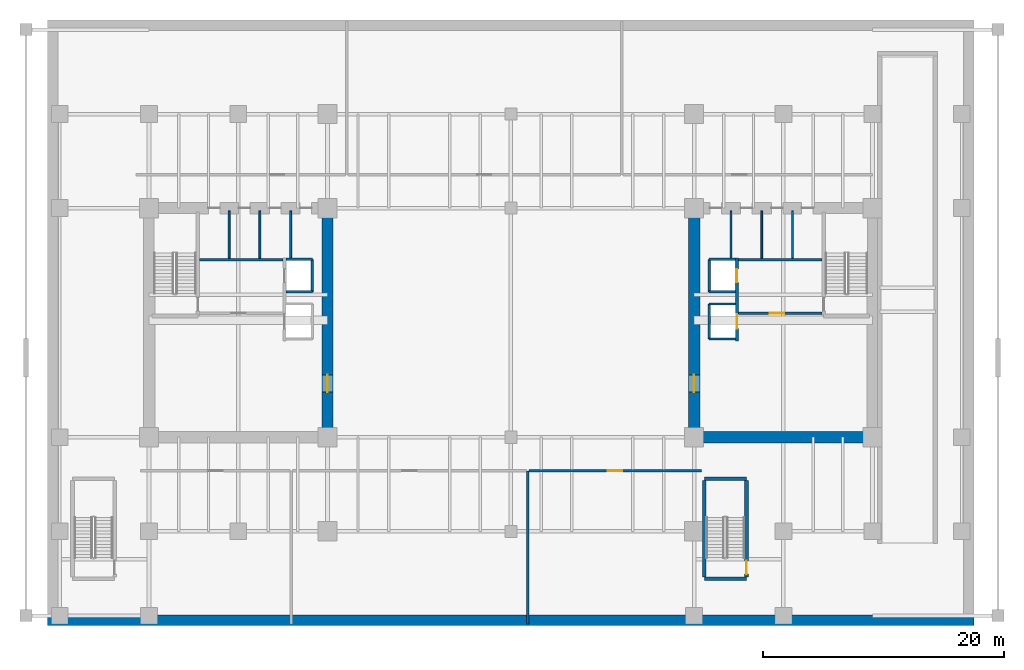
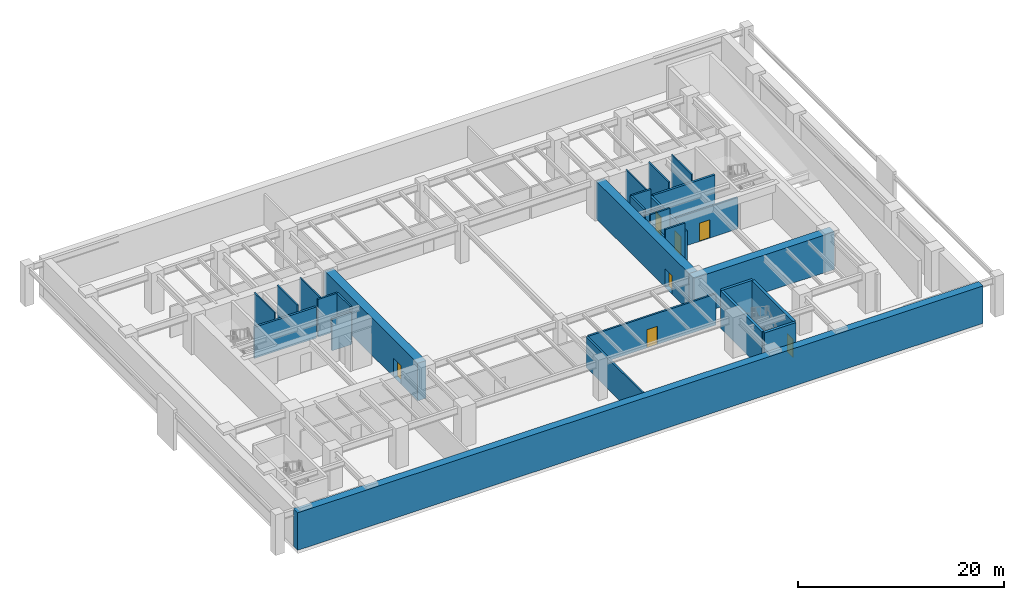
# One storey, part 3 of 7: 29 walls, 7 doors, 7 openings.
"""IFC4 building model written with IfcOpenShell, lengths in metres."""

from ifc_helpers import new_model, si_unit, direction, frame, frame_2d, origin, place, context, subcontext, project, spatial, rectangle, extrude, source, transform, mapped, material, layer, layer_set, type_object, type_shapes, element, fill, save


model = new_model("IFC4")

# Units and contexts
model_context = context("Model", 3, precision=1e-05, world=origin(), true_north=direction((0.0, 1.0)))
body_context = subcontext(model_context, "Body", "Model", "MODEL_VIEW")
ifc_project = project(units=[si_unit("LENGTHUNIT", "METRE"), si_unit("AREAUNIT", "SQUARE_METRE"), si_unit("VOLUMEUNIT", "CUBIC_METRE"), si_unit("PLANEANGLEUNIT", "RADIAN"), si_unit("MASSUNIT", "GRAM", prefix="KILO")], contexts=[model_context])

# Site, building, storey
site_placement = place(None, origin())
site = spatial("IfcSite", under=ifc_project, at=site_placement, CompositionType="ELEMENT")
building_placement = place(site_placement, origin())
building = spatial("IfcBuilding", under=site, at=building_placement, Name="Haelvirn Gate Laboratories", CompositionType="ELEMENT")
storey_placement = place(building_placement, frame((0.0, 0.0, -4.800048828125)))
storey = spatial("IfcBuildingStorey", under=building, at=storey_placement, Name="B1", CompositionType="ELEMENT", Elevation=-4.800048828125)

# Walls
ifc_material_1 = material(Name="Cement-board restroom plumbing chase wall", Category="gypsum")
ifc_layer_1 = layer(ifc_material_1, 0.155029296875, Name="IW-PLUMB-160")
ifc_layer_set_1 = layer_set([ifc_layer_1], Name="Cement-board restroom plumbing chase wall")
wall_type_1 = type_object("IfcWallType", Name="IW-PLUMB-160", PredefinedType="PLUMBINGWALL", material=ifc_layer_set_1)
for number, where, z_axis, x_axis, name in (
    (1, (14.0400390625, 29.64990234375, 0.0), (0.0, 0.0, 1.0), (0.0, 1.0, 0.0), "B1 Interior Wall IW-B1-W-CDIV-1"),
    (2, (16.590087890625, 29.64990234375, 0.0), (0.0, 0.0, 1.0), (0.0, 1.0, 0.0), "B1 Interior Wall IW-B1-W-CDIV-2"),
    (3, (19.139892578125, 29.64990234375, 0.0), (0.0, 0.0, 1.0), (0.0, 1.0, 0.0), "B1 Interior Wall IW-B1-W-CDIV-3"),
    (4, (60.760009765625, 29.64990234375, 0.0), (0.0, 0.0, 1.0), (0.0, 1.0, 0.0), "B1 Interior Wall IW-B1-E-CDIV-1"),
    (5, (58.2099609375, 29.64990234375, 0.0), (0.0, 0.0, 1.0), (0.0, 1.0, 0.0), "B1 Interior Wall IW-B1-E-CDIV-2"),
    (6, (55.659912109375, 29.64990234375, 0.0), (0.0, 0.0, 1.0), (0.0, 1.0, 0.0), "B1 Interior Wall IW-B1-E-CDIV-3"),
):
    element("IfcWall", number, at=place(storey_placement, frame(where, z_axis=z_axis, x_axis=x_axis)), inside=storey, type_object=wall_type_1, Name=name, PredefinedType="PLUMBINGWALL", context=body_context, shape_type="SweptSolid", body=[
        extrude(rectangle(XDim=3.93017578125, YDim=0.155029296875, at=frame_2d((1.965087890625, 0.0))), origin(), (0.0, 0.0, 1.0), 4.449951171875),
    ])
ifc_material_2 = material(Name="Concrete C40/50", Category="concrete")
ifc_layer_2 = layer(ifc_material_2, 0.199951171875, Name="IW-SHAFT-200")
ifc_layer_set_2 = layer_set([ifc_layer_2], Name="Concrete C40/50")
wall_type_2 = type_object("IfcWallType", Name="IW-SHAFT-200", PredefinedType="SOLIDWALL", material=ifc_layer_set_2)
wall_1_placement = place(storey_placement, frame((20.949951171875, 26.85009765625, 0.0), z_axis=(0.0, 0.0, 1.0), x_axis=(0.0, 1.0, 0.0)))
element("IfcWall", 7, at=wall_1_placement, inside=storey, type_object=wall_type_2, Name="B1 Interior Wall IW-B1-FL1-BK", PredefinedType="SOLIDWALL", context=body_context, shape_type="SweptSolid", body=[
    extrude(rectangle(XDim=2.699951171875, YDim=0.199951171875, at=frame_2d((1.35009765625, 0.0))), origin(), (0.0, 0.0, 1.0), 4.449951171875),
])
wall_2_placement = place(storey_placement, frame((18.760009765625, 29.550048828125, 0.0), z_axis=(0.0, 0.0, 1.0), x_axis=(1.0, 0.0, 0.0)))
element("IfcWall", 8, at=wall_2_placement, inside=storey, type_object=wall_type_2, Name="B1 Interior Wall IW-B1-FL1-N", PredefinedType="SOLIDWALL", context=body_context, shape_type="SweptSolid", body=[
    extrude(rectangle(XDim=2.18994140625, YDim=0.199951171875, at=frame_2d((1.094970703125, 0.0))), origin(), (0.0, 0.0, 1.0), 4.449951171875),
])
wall_3_placement = place(storey_placement, frame((18.760009765625, 26.85009765625, 0.0), z_axis=(0.0, 0.0, 1.0), x_axis=(1.0, 0.0, 0.0)))
element("IfcWall", 9, at=wall_3_placement, inside=storey, type_object=wall_type_2, Name="B1 Interior Wall IW-B1-FL1-S", PredefinedType="SOLIDWALL", context=body_context, shape_type="SweptSolid", body=[
    extrude(rectangle(XDim=2.18994140625, YDim=0.199951171875, at=frame_2d((1.094970703125, 0.0))), origin(), (0.0, 0.0, 1.0), 3.84716796875),
])
wall_4_placement = place(storey_placement, frame((53.85009765625, 26.85009765625, 0.0), z_axis=(0.0, 0.0, 1.0), x_axis=(0.0, 1.0, 0.0)))
element("IfcWall", 10, at=wall_4_placement, inside=storey, type_object=wall_type_2, Name="B1 Interior Wall IW-B1-FL2-BK", PredefinedType="SOLIDWALL", context=body_context, shape_type="SweptSolid", body=[
    extrude(rectangle(XDim=2.699951171875, YDim=0.199951171875, at=frame_2d((1.35009765625, 0.0))), origin(), (0.0, 0.0, 1.0), 4.449951171875),
])
wall_5_placement = place(storey_placement, frame((53.85009765625, 29.550048828125, 0.0), z_axis=(0.0, 0.0, 1.0), x_axis=(1.0, 0.0, 0.0)))
element("IfcWall", 11, at=wall_5_placement, inside=storey, type_object=wall_type_2, Name="B1 Interior Wall IW-B1-FL2-N", PredefinedType="SOLIDWALL", context=body_context, shape_type="SweptSolid", body=[
    extrude(rectangle(XDim=2.18994140625, YDim=0.199951171875, at=frame_2d((1.094970703125, 0.0))), origin(), (0.0, 0.0, 1.0), 4.449951171875),
])
wall_6_placement = place(storey_placement, frame((53.85009765625, 26.85009765625, 0.0), z_axis=(0.0, 0.0, 1.0), x_axis=(1.0, 0.0, 0.0)))
element("IfcWall", 12, at=wall_6_placement, inside=storey, type_object=wall_type_2, Name="B1 Interior Wall IW-B1-FL2-S", PredefinedType="SOLIDWALL", context=body_context, shape_type="SweptSolid", body=[
    extrude(rectangle(XDim=2.18994140625, YDim=0.199951171875, at=frame_2d((1.094970703125, 0.0))), origin(), (0.0, 0.0, 1.0), 3.84716796875),
])
wall_7_placement = place(storey_placement, frame((53.85009765625, 22.949951171875, 0.0), z_axis=(0.0, 0.0, 1.0), x_axis=(0.0, 1.0, 0.0)))
element("IfcWall", 13, at=wall_7_placement, inside=storey, type_object=wall_type_2, Name="B1 Interior Wall IW-B1-SL2-BK", PredefinedType="SOLIDWALL", context=body_context, shape_type="SweptSolid", body=[
    extrude(rectangle(XDim=2.900146484375, YDim=0.199951171875, at=frame_2d((1.4501953125, 0.0))), origin(), (0.0, 0.0, 1.0), 3.53515625),
])
for number, where, z_axis, x_axis, name in (
    (14, (53.85009765625, 25.85009765625, 0.0), (0.0, 0.0, 1.0), (1.0, 0.0, 0.0), "B1 Interior Wall IW-B1-SL2-N"),
    (15, (53.85009765625, 22.949951171875, 0.0), (0.0, 0.0, 1.0), (1.0, 0.0, 0.0), "B1 Interior Wall IW-B1-SL2-S"),
):
    element("IfcWall", number, at=place(storey_placement, frame(where, z_axis=z_axis, x_axis=x_axis)), inside=storey, type_object=wall_type_2, Name=name, PredefinedType="SOLIDWALL", context=body_context, shape_type="SweptSolid", body=[
        extrude(rectangle(XDim=2.18994140625, YDim=0.199951171875, at=frame_2d((1.094970703125, 0.0))), origin(), (0.0, 0.0, 1.0), 4.449951171875),
    ])
wall_8_placement = place(storey_placement, frame((38.800048828125, -0.68994140625, 0.0), z_axis=(0.0, 0.0, 1.0), x_axis=(0.0, 1.0, 0.0)))
element("IfcWall", 16, at=wall_8_placement, inside=storey, type_object=wall_type_2, Name="B1 Interior Wall IW-B1-PSDIV-2", PredefinedType="SOLIDWALL", context=body_context, shape_type="SweptSolid", body=[
    extrude(rectangle(XDim=12.7099609375, YDim=0.199951171875, at=frame_2d((6.35498046875, 0.0))), origin(), (0.0, 0.0, 1.0), 3.635009765625),
])

# Wall, opening, door
wall_9_placement = place(storey_placement, frame((38.89990234375, 12.02001953125, 0.0), z_axis=(0.0, 0.0, 1.0), x_axis=(1.0, 0.0, 0.0)))
wall_9 = element("IfcWall", 17, at=wall_9_placement, inside=storey, type_object=wall_type_2, Name="B1 Interior Wall IW-B1-PSW-3", PredefinedType="SOLIDWALL", context=body_context, shape_type="SweptSolid", body=[
    extrude(rectangle(XDim=14.300048828125, YDim=0.199951171875, at=frame_2d((7.14990234375, 0.0))), origin(), (0.0, 0.0, 1.0), 3.68505859375),
])
opening_1_placement = place(wall_9_placement, frame((6.550048828125, 0.0, 0.0)))
opening_1 = element("IfcOpeningElement", 18, at=opening_1_placement, cuts=wall_9, Name="Opening FD2", PredefinedType="OPENING", context=body_context, shape_type="SweptSolid", body=[
    extrude(rectangle(XDim=1.199951171875, YDim=2.159912109375, at=frame_2d((0.60009765625, 1.080078125))), frame((0.0, 0.10986328125, 0.0), z_axis=(0.0, -1.0, 0.0), x_axis=(1.0, 0.0, 0.0)), (0.0, 0.0, 1.0), 0.219970703125),
])
ifc_material_3 = material(Name="Fire-rated steel SM355 compartment door", Category="steel")
door_type_1 = type_object("IfcDoorType", Name="DR-FD-1200", OperationType="NOTDEFINED", PredefinedType="DOOR", material=ifc_material_3)
shared_shape_1 = source(origin(), body_context, "Body", "SweptSolid", [
    extrude(rectangle(XDim=1.199951171875, YDim=2.159912109375, at=frame_2d((0.60009765625, 1.080078125))), frame((0.0, 0.02490234375, 0.0), z_axis=(0.0, -1.0, 0.0), x_axis=(1.0, 0.0, 0.0)), (0.0, 0.0, 1.0), 0.050048828125),
])
type_shapes(door_type_1, [shared_shape_1])
door_1_placement = place(opening_1_placement, origin())
door_1 = element("IfcDoor", 19, at=door_1_placement, inside=storey, type_object=door_type_1, Name="B1 Clean Reagent Storage & Marshalling Fire Door", OperationType="SINGLE_SWING_LEFT", OverallHeight=2.159912109375, OverallWidth=1.199951171875, PredefinedType="DOOR", context=body_context, shape_type="MappedRepresentation", body=[
    mapped(shared_shape_1, transform((0.0, 0.0, 0.0), scale=1.0)),
])
fill(opening_1, door_1)

# Wall
ifc_layer_3 = layer(ifc_material_2, 0.239990234375, Name="IW-SHAFT-240")
ifc_layer_set_3 = layer_set([ifc_layer_3], Name="Concrete C40/50")
wall_type_3 = type_object("IfcWallType", Name="IW-SHAFT-240", PredefinedType="SOLIDWALL", material=ifc_layer_set_3)
wall_10_placement = place(storey_placement, frame((11.60009765625, 29.52001953125, 0.0), z_axis=(0.0, 0.0, 1.0), x_axis=(1.0, 0.0, 0.0)))
element("IfcWall", 20, at=wall_10_placement, inside=storey, type_object=wall_type_3, Name="B1 Interior Wall IW-B1-W-FF-N", PredefinedType="SOLIDWALL", context=body_context, shape_type="SweptSolid", body=[
    extrude(rectangle(XDim=6.919921875, YDim=0.239990234375, at=frame_2d((3.4599609375, 0.0))), origin(), (0.0, 0.0, 1.0), 3.68505859375),
])

# Wall, opening, door
wall_11_placement = place(storey_placement, frame((56.280029296875, 25.080078125, 0.0), z_axis=(0.0, 0.0, 1.0), x_axis=(1.0, 0.0, 0.0)))
wall_11 = element("IfcWall", 21, at=wall_11_placement, inside=storey, type_object=wall_type_3, Name="B1 Interior Wall IW-B1-E-FF-S", PredefinedType="SOLIDWALL", context=body_context, shape_type="SweptSolid", body=[
    extrude(rectangle(XDim=6.919921875, YDim=0.239990234375, at=frame_2d((3.4599609375, 0.0))), origin(), (0.0, 0.0, 1.0), 3.68505859375),
])
opening_2_placement = place(wall_11_placement, frame((2.60009765625, 0.0, 0.0)))
opening_2 = element("IfcOpeningElement", 22, at=opening_2_placement, cuts=wall_11, Name="Opening FD2", PredefinedType="OPENING", context=body_context, shape_type="SweptSolid", body=[
    extrude(rectangle(XDim=1.199951171875, YDim=2.159912109375, at=frame_2d((0.60009765625, 1.080078125))), frame((0.0, 0.1298828125, 0.0), z_axis=(0.0, -1.0, 0.0), x_axis=(1.0, 0.0, 0.0)), (0.0, 0.0, 1.0), 0.260009765625),
])
door_2_placement = place(opening_2_placement, origin())
door_2 = element("IfcDoor", 23, at=door_2_placement, inside=storey, type_object=door_type_1, Name="B1 East Firefighting Lobby Door", OperationType="SINGLE_SWING_LEFT", OverallHeight=2.159912109375, OverallWidth=1.199951171875, PredefinedType="DOOR", context=body_context, shape_type="MappedRepresentation", body=[
    mapped(shared_shape_1, transform((0.0, 0.0, 0.0), scale=1.0)),
])
fill(opening_2, door_2)

# Wall
wall_12_placement = place(storey_placement, frame((56.280029296875, 29.52001953125, 0.0), z_axis=(0.0, 0.0, 1.0), x_axis=(1.0, 0.0, 0.0)))
element("IfcWall", 24, at=wall_12_placement, inside=storey, type_object=wall_type_3, Name="B1 Interior Wall IW-B1-E-FF-N", PredefinedType="SOLIDWALL", context=body_context, shape_type="SweptSolid", body=[
    extrude(rectangle(XDim=6.919921875, YDim=0.239990234375, at=frame_2d((3.4599609375, 0.0))), origin(), (0.0, 0.0, 1.0), 3.68505859375),
])

# Wall, openings, doors
wall_13_placement = place(storey_placement, frame((56.159912109375, 22.800048828125, 0.0), z_axis=(0.0, 0.0, 1.0), x_axis=(0.0, 1.0, 0.0)))
wall_13 = element("IfcWall", 25, at=wall_13_placement, inside=storey, type_object=wall_type_3, Name="B1 Interior Wall IW-B1-E-FF-E", PredefinedType="SOLIDWALL", context=body_context, shape_type="SweptSolid", body=[
    extrude(rectangle(XDim=6.849853515625, YDim=0.239990234375, at=frame_2d((3.4248046875, 0.0))), origin(), (0.0, 0.0, 1.0), 3.53515625),
])
opening_3_placement = place(wall_13_placement, frame((4.85009765625, 0.0, 0.0)))
opening_3 = element("IfcOpeningElement", 26, at=opening_3_placement, cuts=wall_13, Name="Opening LD2", PredefinedType="OPENING", context=body_context, shape_type="SweptSolid", body=[
    extrude(rectangle(XDim=1.10009765625, YDim=2.219970703125, at=frame_2d((0.550048828125, 1.10986328125))), frame((0.0, 0.1298828125, 0.0), z_axis=(0.0, -1.0, 0.0), x_axis=(1.0, 0.0, 0.0)), (0.0, 0.0, 1.0), 0.260009765625),
])
opening_4_placement = place(wall_13_placement, frame((1.0, 0.0, 0.0)))
opening_4 = element("IfcOpeningElement", 27, at=opening_4_placement, cuts=wall_13, Name="Opening LD1", PredefinedType="OPENING", context=body_context, shape_type="SweptSolid", body=[
    extrude(rectangle(XDim=1.199951171875, YDim=2.219970703125, at=frame_2d((0.60009765625, 1.10986328125))), frame((0.0, 0.1298828125, 0.0), z_axis=(0.0, -1.0, 0.0), x_axis=(1.0, 0.0, 0.0)), (0.0, 0.0, 1.0), 0.260009765625),
])
ifc_material_4 = material(Name="Bronze stainless 316L sliding lift landing door")
door_type_2 = type_object("IfcDoorType", Name="DR-LD-1100", OperationType="NOTDEFINED", PredefinedType="USERDEFINED", material=ifc_material_4)
shared_shape_2 = source(origin(), body_context, "Body", "SweptSolid", [
    extrude(rectangle(XDim=1.10009765625, YDim=2.219970703125, at=frame_2d((0.550048828125, 1.10986328125))), frame((0.0, 0.02490234375, 0.0), z_axis=(0.0, -1.0, 0.0), x_axis=(1.0, 0.0, 0.0)), (0.0, 0.0, 1.0), 0.050048828125),
])
type_shapes(door_type_2, [shared_shape_2])
door_3_placement = place(opening_3_placement, origin())
door_3 = element("IfcDoor", 28, at=door_3_placement, inside=storey, type_object=door_type_2, Name="B1 Firefighting Lift FL2 Landing Door", ObjectType="LANDING_DOOR", OperationType="SLIDING_TO_RIGHT", OverallHeight=2.219970703125, OverallWidth=1.10009765625, PredefinedType="USERDEFINED", context=body_context, shape_type="MappedRepresentation", body=[
    mapped(shared_shape_2, transform((0.0, 0.0, 0.0), scale=1.0)),
])
fill(opening_3, door_3)
ifc_material_5 = material(Name="Stainless steel 316L sliding goods landing door", Category="steel")
door_type_3 = type_object("IfcDoorType", Name="DR-LD-1200", OperationType="NOTDEFINED", PredefinedType="USERDEFINED", material=ifc_material_5)
shared_shape_3 = source(origin(), body_context, "Body", "SweptSolid", [
    extrude(rectangle(XDim=1.199951171875, YDim=2.219970703125, at=frame_2d((0.60009765625, 1.10986328125))), frame((0.0, 0.02490234375, 0.0), z_axis=(0.0, -1.0, 0.0), x_axis=(1.0, 0.0, 0.0)), (0.0, 0.0, 1.0), 0.050048828125),
])
type_shapes(door_type_3, [shared_shape_3])
door_4_placement = place(opening_4_placement, origin())
door_4 = element("IfcDoor", 29, at=door_4_placement, inside=storey, type_object=door_type_3, Name="B1 Service Lift SL2 Landing Door", ObjectType="LANDING_DOOR", OperationType="SLIDING_TO_LEFT", OverallHeight=2.219970703125, OverallWidth=1.199951171875, PredefinedType="USERDEFINED", context=body_context, shape_type="MappedRepresentation", body=[
    mapped(shared_shape_3, transform((0.0, 0.0, 0.0), scale=1.0)),
])
fill(opening_4, door_4)

# Wall, opening, door
ifc_material_6 = material(Name="Concrete C70/85", Category="concrete")
ifc_layer_4 = layer(ifc_material_6, 0.949951171875, Name="SW-CORE-950")
ifc_layer_set_4 = layer_set([ifc_layer_4], Name="Concrete C70/85")
wall_type_4 = type_object("IfcWallType", Name="SW-CORE-950", PredefinedType="SHEAR", material=ifc_layer_set_4)
wall_14_placement = place(storey_placement, frame((22.199951171875, 15.27490234375, 0.0), z_axis=(0.0, 0.0, 1.0), x_axis=(0.0, 1.0, 0.0)))
wall_14 = element("IfcWall", 30, at=wall_14_placement, inside=storey, type_object=wall_type_4, Name="B1 W Core Shear Wall E", PredefinedType="SHEAR", context=body_context, shape_type="SweptSolid", body=[
    extrude(rectangle(XDim=18.050048828125, YDim=0.949951171875, at=frame_2d((9.02490234375, 0.0))), origin(), (0.0, 0.0, 1.0), 4.449951171875),
])
opening_5_placement = place(wall_14_placement, frame((3.27490234375, 0.0, 0.0)))
opening_5 = element("IfcOpeningElement", 31, at=opening_5_placement, cuts=wall_14, Name="Opening FD1", PredefinedType="OPENING", context=body_context, shape_type="SweptSolid", body=[
    extrude(rectangle(XDim=1.419921875, YDim=2.199951171875, at=frame_2d((0.7099609375, 1.10009765625))), frame((0.0, 0.48486328125, 0.0), z_axis=(0.0, -1.0, 0.0), x_axis=(1.0, 0.0, 0.0)), (0.0, 0.0, 1.0), 0.969970703125),
])
ifc_material_7 = material(Name="Fire-rated double steel SM355 lobby door", Category="steel")
door_type_4 = type_object("IfcDoorType", Name="DR-FD-1400", OperationType="NOTDEFINED", PredefinedType="DOOR", material=ifc_material_7)
shared_shape_4 = source(origin(), body_context, "Body", "SweptSolid", [
    extrude(rectangle(XDim=1.419921875, YDim=2.199951171875, at=frame_2d((0.7099609375, 1.10009765625))), frame((0.0, 0.02490234375, 0.0), z_axis=(0.0, -1.0, 0.0), x_axis=(1.0, 0.0, 0.0)), (0.0, 0.0, 1.0), 0.050048828125),
])
type_shapes(door_type_4, [shared_shape_4])
door_5_placement = place(opening_5_placement, origin())
door_5 = element("IfcDoor", 32, at=door_5_placement, inside=storey, type_object=door_type_4, Name="B1 West Core Lift Lobby Fire Door", OperationType="DOUBLE_DOOR_SINGLE_SWING", OverallHeight=2.199951171875, OverallWidth=1.419921875, PredefinedType="DOOR", context=body_context, shape_type="MappedRepresentation", body=[
    mapped(shared_shape_4, transform((0.0, 0.0, 0.0), scale=1.0)),
])
fill(opening_5, door_5)

# Wall
wall_15_placement = place(storey_placement, frame((52.125, 14.800048828125, 0.0), z_axis=(0.0, 0.0, 1.0), x_axis=(1.0, 0.0, 0.0)))
element("IfcWall", 33, at=wall_15_placement, inside=storey, type_object=wall_type_4, Name="B1 E Core Shear Wall S", PredefinedType="SHEAR", context=body_context, shape_type="SweptSolid", body=[
    extrude(rectangle(XDim=15.75, YDim=0.949951171875, at=frame_2d((7.875, 0.0))), origin(), (0.0, 0.0, 1.0), 4.449951171875),
])

# Wall, opening, door
wall_16_placement = place(storey_placement, frame((52.60009765625, 15.27490234375, 0.0), z_axis=(0.0, 0.0, 1.0), x_axis=(0.0, 1.0, 0.0)))
wall_16 = element("IfcWall", 34, at=wall_16_placement, inside=storey, type_object=wall_type_4, Name="B1 E Core Shear Wall W", PredefinedType="SHEAR", context=body_context, shape_type="SweptSolid", body=[
    extrude(rectangle(XDim=18.050048828125, YDim=0.949951171875, at=frame_2d((9.02490234375, 0.0))), origin(), (0.0, 0.0, 1.0), 4.449951171875),
])
opening_6_placement = place(wall_16_placement, frame((3.27490234375, 0.0, 0.0)))
opening_6 = element("IfcOpeningElement", 35, at=opening_6_placement, cuts=wall_16, Name="Opening FD1", PredefinedType="OPENING", context=body_context, shape_type="SweptSolid", body=[
    extrude(rectangle(XDim=1.419921875, YDim=2.199951171875, at=frame_2d((0.7099609375, 1.10009765625))), frame((0.0, 0.48486328125, 0.0), z_axis=(0.0, -1.0, 0.0), x_axis=(1.0, 0.0, 0.0)), (0.0, 0.0, 1.0), 0.969970703125),
])
door_6_placement = place(opening_6_placement, origin())
door_6 = element("IfcDoor", 36, at=door_6_placement, inside=storey, type_object=door_type_4, Name="B1 East Core Lift Lobby Fire Door", OperationType="DOUBLE_DOOR_SINGLE_SWING", OverallHeight=2.199951171875, OverallWidth=1.419921875, PredefinedType="DOOR", context=body_context, shape_type="MappedRepresentation", body=[
    mapped(shared_shape_4, transform((0.0, 0.0, 0.0), scale=1.0)),
])
fill(opening_6, door_6)

# Walls
ifc_material_8 = material(Name="Concrete C50/60", Category="concrete")
ifc_layer_5 = layer(ifc_material_8, 0.85009765625, Name="SW-RET-850")
ifc_layer_set_5 = layer_set([ifc_layer_5], Name="Concrete C50/60")
wall_type_5 = type_object("IfcWallType", Name="SW-RET-850", PredefinedType="SOLIDWALL", material=ifc_layer_set_5)
wall_17_placement = place(storey_placement, frame((-1.0, -0.375, 0.0), z_axis=(0.0, 0.0, 1.0), x_axis=(1.0, 0.0, 0.0)))
element("IfcWall", 37, at=wall_17_placement, inside=storey, type_object=wall_type_5, Name="B1 Perimeter Diaphragm Wall S", PredefinedType="SOLIDWALL", context=body_context, shape_type="SweptSolid", body=[
    extrude(rectangle(XDim=76.800048828125, YDim=0.85009765625, at=frame_2d((38.39990234375, 0.0))), origin(), (0.0, 0.0, 1.0), 4.449951171875),
])
ifc_layer_6 = layer(ifc_material_8, 0.300048828125, Name="SW-STAIR-300")
ifc_layer_set_6 = layer_set([ifc_layer_6], Name="Concrete C50/60")
wall_type_6 = type_object("IfcWallType", Name="SW-STAIR-300", PredefinedType="SHEAR", material=ifc_layer_set_6)
for number, where, z_axis, x_axis, name in (
    (38, (53.449951171875, 3.050048828125, 0.0), (0.0, 0.0, 1.0), (1.0, 0.0, 0.0), "B1 Podium Stair ST4 Structural Wall S"),
    (39, (53.449951171875, 11.35009765625, 0.0), (0.0, 0.0, 1.0), (1.0, 0.0, 0.0), "B1 Podium Stair ST4 Structural Wall N"),
):
    element("IfcWall", number, at=place(storey_placement, frame(where, z_axis=z_axis, x_axis=x_axis)), inside=storey, type_object=wall_type_6, Name=name, PredefinedType="SHEAR", context=body_context, shape_type="SweptSolid", body=[
        extrude(rectangle(XDim=3.5, YDim=0.300048828125, at=frame_2d((1.75, 0.0))), origin(), (0.0, 0.0, 1.0), 4.449951171875),
    ])
wall_18_placement = place(storey_placement, frame((53.449951171875, 3.199951171875, 0.0), z_axis=(0.0, 0.0, 1.0), x_axis=(0.0, 1.0, 0.0)))
element("IfcWall", 40, at=wall_18_placement, inside=storey, type_object=wall_type_6, Name="B1 Podium Stair ST4 Structural Wall W", PredefinedType="SHEAR", context=body_context, shape_type="SweptSolid", body=[
    extrude(rectangle(XDim=8.0, YDim=0.300048828125, at=frame_2d((4.0, 0.0))), origin(), (0.0, 0.0, 1.0), 4.449951171875),
])

# Wall, opening, door
wall_19_placement = place(storey_placement, frame((56.949951171875, 3.199951171875, 0.0), z_axis=(0.0, 0.0, 1.0), x_axis=(0.0, 1.0, 0.0)))
wall_19 = element("IfcWall", 41, at=wall_19_placement, inside=storey, type_object=wall_type_6, Name="B1 Podium Stair ST4 Structural Wall E", PredefinedType="SHEAR", context=body_context, shape_type="SweptSolid", body=[
    extrude(rectangle(XDim=8.0, YDim=0.300048828125, at=frame_2d((4.0, 0.0))), origin(), (0.0, 0.0, 1.0), 4.449951171875),
])
opening_7_placement = place(wall_19_placement, frame((0.25, 0.0, 0.0)))
opening_7 = element("IfcOpeningElement", 42, at=opening_7_placement, cuts=wall_19, Name="Opening FD3", PredefinedType="OPENING", context=body_context, shape_type="SweptSolid", body=[
    extrude(rectangle(XDim=1.10009765625, YDim=2.14990234375, at=frame_2d((0.550048828125, 1.074951171875))), frame((0.0, 0.16015625, 0.0), z_axis=(0.0, -1.0, 0.0), x_axis=(1.0, 0.0, 0.0)), (0.0, 0.0, 1.0), 0.320068359375),
])
ifc_material_9 = material(Name="Fire-rated steel SM355 escape stair door", Category="steel")
door_type_5 = type_object("IfcDoorType", Name="DR-FD-1100", OperationType="NOTDEFINED", PredefinedType="DOOR", material=ifc_material_9)
shared_shape_5 = source(origin(), body_context, "Body", "SweptSolid", [
    extrude(rectangle(XDim=1.10009765625, YDim=2.14990234375, at=frame_2d((0.550048828125, 1.074951171875))), frame((0.0, 0.02490234375, 0.0), z_axis=(0.0, -1.0, 0.0), x_axis=(1.0, 0.0, 0.0)), (0.0, 0.0, 1.0), 0.050048828125),
])
type_shapes(door_type_5, [shared_shape_5])
door_7_placement = place(opening_7_placement, origin())
door_7 = element("IfcDoor", 43, at=door_7_placement, inside=storey, type_object=door_type_5, Name="B1 Escape Stair ST4 Fire Door", OperationType="SINGLE_SWING_RIGHT", OverallHeight=2.14990234375, OverallWidth=1.10009765625, PredefinedType="DOOR", context=body_context, shape_type="MappedRepresentation", body=[
    mapped(shared_shape_5, transform((0.0, 0.0, 0.0), scale=1.0)),
])
fill(opening_7, door_7)

save(model, "model.ifc")
